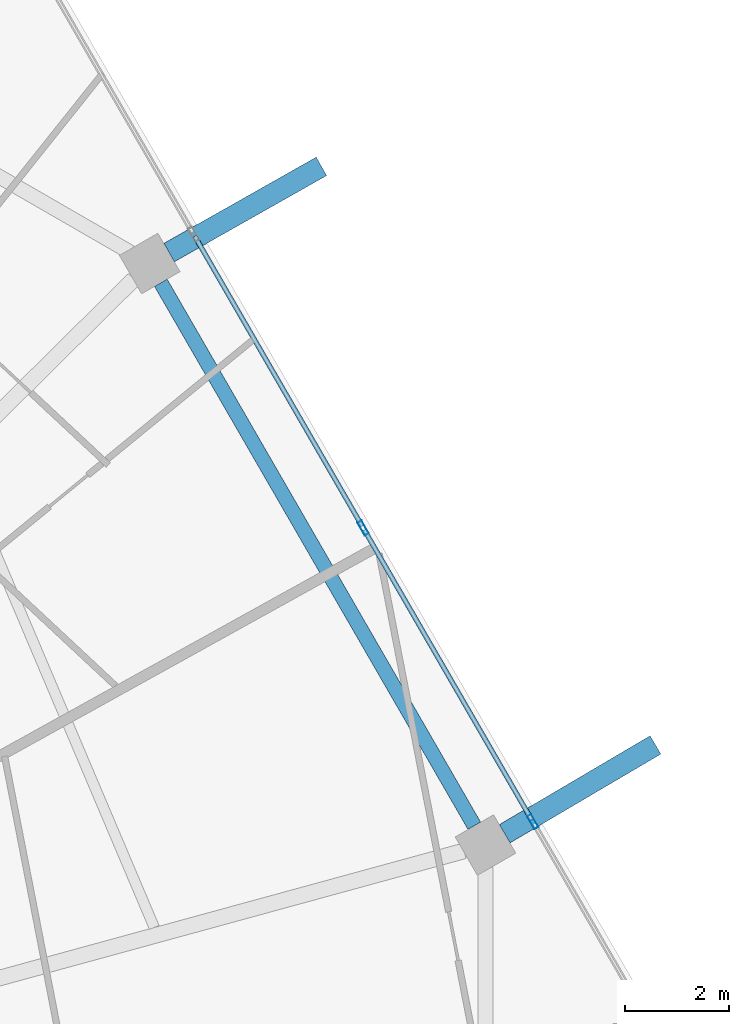
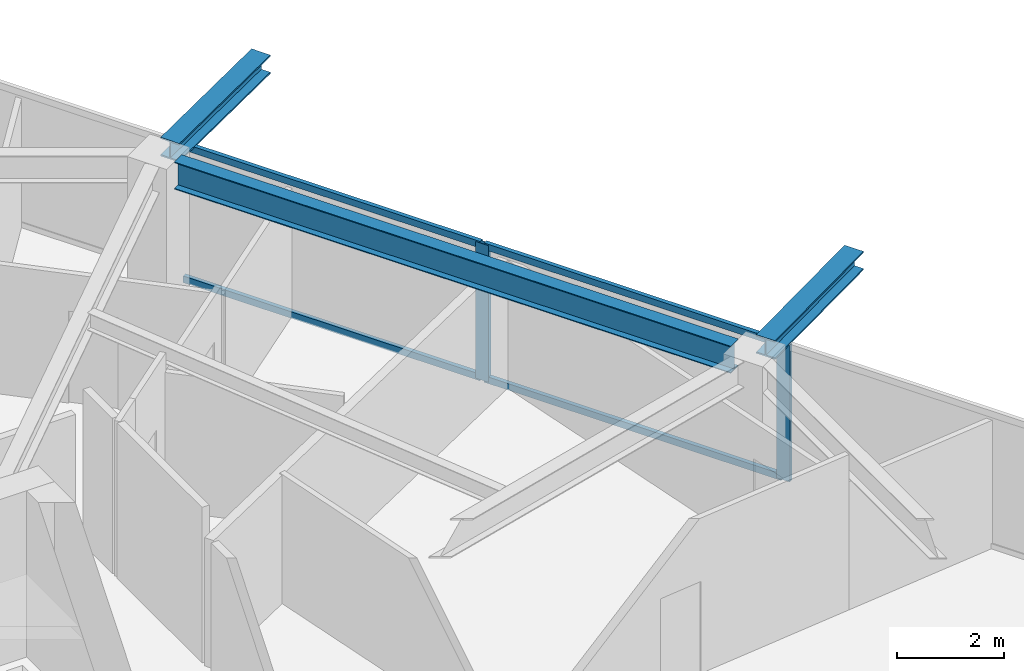
# One storey, part 16 of 27: 6 members, 3 beams, 1 element without a shape of its own.
"""IFC4 building model written with IfcOpenShell, lengths in metres."""

from ifc_helpers import new_model, si_unit, direction, frame, origin, origin_2d, place, context, subcontext, project, spatial, hollow_rectangle, i_section, extrude, material, material_profile, profile_set, type_object, element, aggregate, save


model = new_model("IFC4")

# Units and contexts
model_context = context("Model", 3, precision=1e-05, world=origin(), true_north=direction((0.0, 1.0)))
body_context = subcontext(model_context, "Body", "Model", "MODEL_VIEW")
ifc_project = project(units=[si_unit("LENGTHUNIT", "METRE"), si_unit("AREAUNIT", "SQUARE_METRE"), si_unit("VOLUMEUNIT", "CUBIC_METRE"), si_unit("PLANEANGLEUNIT", "RADIAN"), si_unit("MASSUNIT", "GRAM", prefix="KILO")], contexts=[model_context])

# Site, building, storey
site_placement = place(None, origin())
site = spatial("IfcSite", under=ifc_project, at=site_placement, CompositionType="ELEMENT")
building_placement = place(site_placement, origin())
building = spatial("IfcBuilding", under=site, at=building_placement, Name="Zuhravey Tower", CompositionType="ELEMENT")
storey_placement = place(building_placement, frame((0.0, 0.0, 265.39990234375)))
storey = spatial("IfcBuildingStorey", under=building, at=storey_placement, Name="L67", CompositionType="ELEMENT", Elevation=265.39990234375)

# Curtain wall, members
ifc_material_1 = material(Name="Thermally broken anodised aluminium", Category="aluminium")
curtain_wall_type = type_object("IfcCurtainWallType", Name="Zone 3-4 High-Rise Curtain Wall CW4", PredefinedType="NOTDEFINED", material=ifc_material_1)
curtain_wall_placement = place(storey_placement, origin())
curtain_wall = element("IfcCurtainWall", 1, at=curtain_wall_placement, inside=storey, type_object=curtain_wall_type, Name="L67 CW4 CW-L67-F1-1", PredefinedType="NOTDEFINED")
ifc_material_2 = material(Name="Anodised aluminium", Category="aluminium")
ifc_material_profile_1 = material_profile(ifc_material_2, hollow_rectangle(XDim=0.090087890625, YDim=0.284912109375, WallThickness=0.0048828125, at=origin_2d()), Name="ALU-RHS-90x285x5")
ifc_profile_set_1 = profile_set([ifc_material_profile_1], Name="Anodised aluminium")
member_type_1 = type_object("IfcMemberType", Name="Curtain-Wall Mullion 90x180", PredefinedType="MULLION", material=ifc_profile_set_1)
member_1_placement = place(storey_placement, frame((58.138671875, 44.78173828125, 0.0), z_axis=(0.0, 0.0, 1.0), x_axis=(0.866024851021, 0.500000957414, 0.0)))
member_1 = element("IfcMember", 2, at=member_1_placement, type_object=member_type_1, Name="CW4 mullion 3", PredefinedType="MULLION", context=body_context, shape_type="SweptSolid", body=[
    extrude(hollow_rectangle(XDim=0.090087890625, YDim=0.284912109375, WallThickness=0.0048828125, at=origin_2d()), origin(), (0.0, 0.0, 1.0), 3.1220703125),
])
member_2_placement = place(storey_placement, frame((61.391845703125, 39.147216796875, 0.0), z_axis=(0.0, 0.0, 1.0), x_axis=(0.866024851021, 0.500000957414, 0.0)))
member_2 = element("IfcMember", 3, at=member_2_placement, type_object=member_type_1, Name="CW4 mullion 4", PredefinedType="MULLION", context=body_context, shape_type="SweptSolid", body=[
    extrude(hollow_rectangle(XDim=0.090087890625, YDim=0.284912109375, WallThickness=0.0048828125, at=origin_2d()), origin(), (0.0, 0.0, 1.0), 3.1220703125),
])
ifc_material_profile_2 = material_profile(ifc_material_2, hollow_rectangle(XDim=0.090087890625, YDim=0.14990234375, WallThickness=0.0048828125, at=origin_2d()), Name="ALU-RHS-90x150x5")
ifc_profile_set_2 = profile_set([ifc_material_profile_2], Name="Anodised aluminium")
member_type_2 = type_object("IfcMemberType", Name="Curtain-Wall Transom 90x150", PredefinedType="USERDEFINED", material=ifc_profile_set_2)
member_3_placement = place(storey_placement, frame((54.907958984375, 50.37744140625, 0.045166015625), z_axis=(0.500014493347, -0.866017035885, 0.0), x_axis=(0.866017035885, 0.500014493347, 0.0)))
member_3 = element("IfcMember", 4, at=member_3_placement, type_object=member_type_2, Name="CW4 transom 2.1", ObjectType="TRANSOM", PredefinedType="USERDEFINED", context=body_context, shape_type="SweptSolid", body=[
    extrude(hollow_rectangle(XDim=0.090087890625, YDim=0.14990234375, WallThickness=0.0048828125, at=origin_2d()), origin(), (0.0, 0.0, 1.0), 6.416259765625),
])
member_4_placement = place(storey_placement, frame((54.907958984375, 50.37744140625, 3.0771484375), z_axis=(0.500014493347, -0.866017035885, 0.0), x_axis=(0.866017035885, 0.500014493347, 0.0)))
member_4 = element("IfcMember", 5, at=member_4_placement, type_object=member_type_2, Name="CW4 transom 2.2", ObjectType="TRANSOM", PredefinedType="USERDEFINED", context=body_context, shape_type="SweptSolid", body=[
    extrude(hollow_rectangle(XDim=0.090087890625, YDim=0.14990234375, WallThickness=0.0048828125, at=origin_2d()), origin(), (0.0, 0.0, 1.0), 6.416259765625),
])
member_5_placement = place(storey_placement, frame((58.1611328125, 44.742919921875, 0.045166015625), z_axis=(0.499998017366, -0.866026548456, 0.0), x_axis=(0.866026548456, 0.499998017366, 0.0)))
member_5 = element("IfcMember", 6, at=member_5_placement, type_object=member_type_2, Name="CW4 transom 3.1", ObjectType="TRANSOM", PredefinedType="USERDEFINED", context=body_context, shape_type="SweptSolid", body=[
    extrude(hollow_rectangle(XDim=0.090087890625, YDim=0.14990234375, WallThickness=0.0048828125, at=origin_2d()), origin(), (0.0, 0.0, 1.0), 6.41650390625),
])
member_6_placement = place(storey_placement, frame((58.1611328125, 44.742919921875, 3.0771484375), z_axis=(0.499998017366, -0.866026548456, 0.0), x_axis=(0.866026548456, 0.499998017366, 0.0)))
member_6 = element("IfcMember", 7, at=member_6_placement, type_object=member_type_2, Name="CW4 transom 3.2", ObjectType="TRANSOM", PredefinedType="USERDEFINED", context=body_context, shape_type="SweptSolid", body=[
    extrude(hollow_rectangle(XDim=0.090087890625, YDim=0.14990234375, WallThickness=0.0048828125, at=origin_2d()), origin(), (0.0, 0.0, 1.0), 6.41650390625),
])
aggregate(curtain_wall, [member_1, member_2, member_3, member_4, member_5, member_6])

# Beams
ifc_material_3 = material(Name="Steel SM460", Category="steel")
ifc_material_profile_3 = material_profile(ifc_material_3, i_section(OverallWidth=0.406982421875, OverallDepth=0.427978515625, WebThickness=0.02001953125, FlangeThickness=0.034912109375, at=origin_2d()), Name="H-428x407x20x35")
ifc_profile_set_3 = profile_set([ifc_material_profile_3], Name="Steel SM460")
beam_type_1 = type_object("IfcBeamType", Name="Exoskeleton Node Tie Beam H428x407", PredefinedType="BEAM", material=ifc_profile_set_3)
beam_1_placement = place(storey_placement, frame((60.854248046875, 38.916748046875, 3.336181640625), z_axis=(0.861649812726, 0.507503300707, 0.0), x_axis=(-0.507503300707, 0.861649812726, 0.0)))
element("IfcBeam", 8, at=beam_1_placement, inside=storey, type_object=beam_type_1, Name="L67 Exoskeleton Node Tie NT1-01", PredefinedType="BEAM", context=body_context, shape_type="SweptSolid", body=[
    extrude(i_section(OverallWidth=0.406982421875, OverallDepth=0.427978515625, WebThickness=0.02001953125, FlangeThickness=0.034912109375, at=origin_2d()), origin(), (0.0, 0.0, 1.0), 3.35595703125),
])
beam_2_placement = place(storey_placement, frame((54.4169921875, 50.06591796875, 3.336181640625), z_axis=(0.870370388745, 0.492397589755, 0.0), x_axis=(-0.492397589755, 0.870370388745, 0.0)))
element("IfcBeam", 9, at=beam_2_placement, inside=storey, type_object=beam_type_1, Name="L67 Exoskeleton Node Tie NT1-02", PredefinedType="BEAM", context=body_context, shape_type="SweptSolid", body=[
    extrude(i_section(OverallWidth=0.406982421875, OverallDepth=0.427978515625, WebThickness=0.02001953125, FlangeThickness=0.034912109375, at=origin_2d()), origin(), (0.0, 0.0, 1.0), 3.356201171875),
])
ifc_material_4 = material(Name="Steel SM355", Category="steel")
ifc_material_profile_4 = material_profile(ifc_material_4, i_section(OverallWidth=0.280029296875, OverallDepth=0.6201171875, WebThickness=0.011962890625, FlangeThickness=0.02001953125, at=origin_2d()), Name="H-620x280x12x20")
ifc_profile_set_4 = profile_set([ifc_material_profile_4], Name="Steel SM355")
beam_type_2 = type_object("IfcBeamType", Name="Perimeter Ring Beam H620x280", PredefinedType="BEAM", material=ifc_profile_set_4)
beam_3_placement = place(storey_placement, frame((60.2705078125, 39.069580078125, 3.239990234375), z_axis=(-0.500005971936, 0.866021955858, 0.0), x_axis=(-0.866021955858, -0.500005971936, 0.0)))
element("IfcBeam", 10, at=beam_3_placement, inside=storey, type_object=beam_type_2, Name="L67 PB3 BM-L67-PB-01", PredefinedType="BEAM", context=body_context, shape_type="SweptSolid", body=[
    extrude(i_section(OverallWidth=0.280029296875, OverallDepth=0.6201171875, WebThickness=0.011962890625, FlangeThickness=0.02001953125, at=origin_2d()), origin(), (0.0, 0.0, 1.0), 12.025634765625),
])

save(model, "model.ifc")
